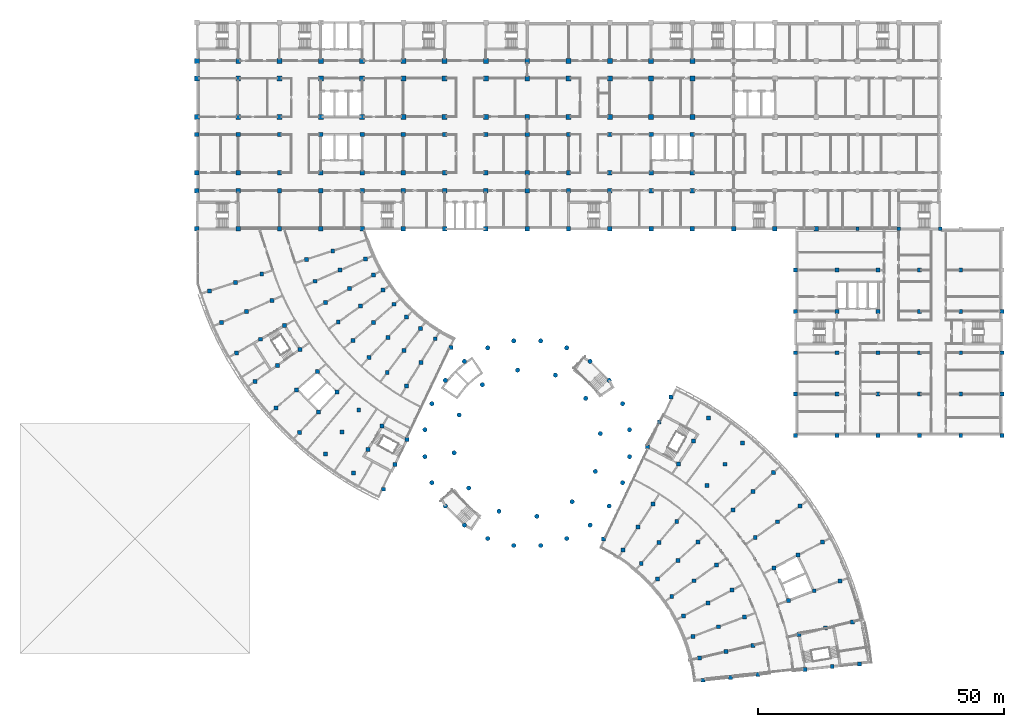
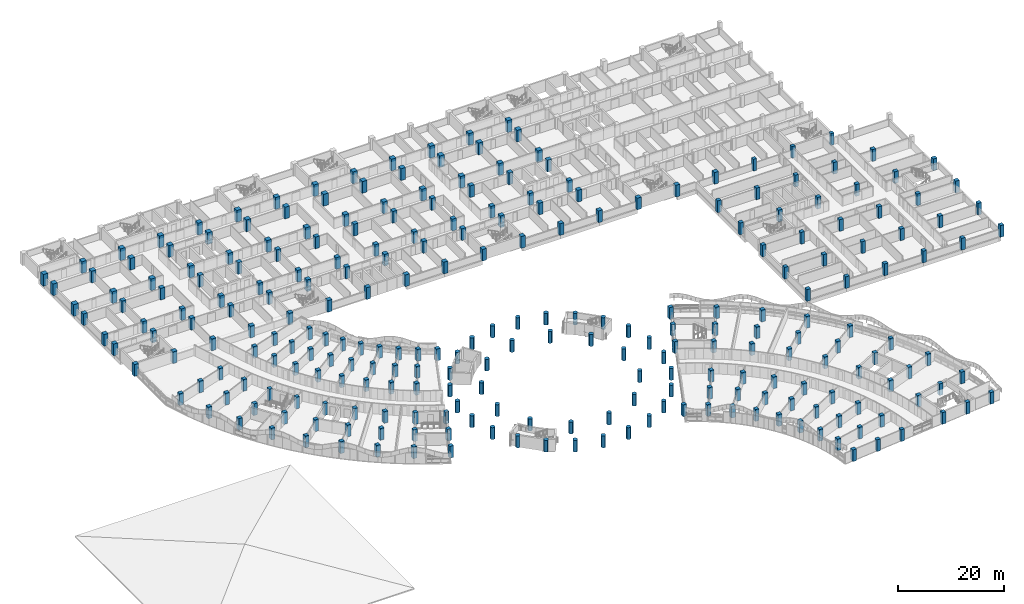
# One storey, part 1 of 89: 265 columns.
"""IFC4 building model written with IfcOpenShell, lengths in metres."""

from ifc_helpers import new_model, si_unit, direction, frame, origin, origin_2d, place, context, subcontext, project, spatial, rectangle, circle, extrude, material, material_profile, profile_set, type_object, element, save


model = new_model("IFC4")

# Units and contexts
model_context = context("Model", 3, precision=1e-05, world=origin(), true_north=direction((0.0, 1.0)))
body_context = subcontext(model_context, "Body", "Model", "MODEL_VIEW")
ifc_project = project(units=[si_unit("LENGTHUNIT", "METRE"), si_unit("AREAUNIT", "SQUARE_METRE"), si_unit("VOLUMEUNIT", "CUBIC_METRE"), si_unit("PLANEANGLEUNIT", "RADIAN"), si_unit("MASSUNIT", "GRAM", prefix="KILO")], contexts=[model_context])

# Site, building, storey
site_placement = place(None, origin())
site = spatial("IfcSite", under=ifc_project, at=site_placement, CompositionType="ELEMENT")
building_placement = place(site_placement, origin())
building = spatial("IfcBuilding", under=site, at=building_placement, Name="Bougainvillea Quay General Hospital", CompositionType="ELEMENT")
storey_placement = place(building_placement, frame((0.0, 0.0, 9.89990234375)))
storey = spatial("IfcBuildingStorey", under=building, at=storey_placement, Name="L01M", CompositionType="ELEMENT", Elevation=9.89990234375)

# Columns
ifc_material = material(Name="Concrete C50", Category="concrete")
ifc_material_profile_1 = material_profile(ifc_material, rectangle(XDim=1.0, YDim=1.0, at=origin_2d()))
ifc_profile_set_1 = profile_set([ifc_material_profile_1], Name="Concrete C50")
column_type_1 = type_object("IfcColumnType", Name="RC COL 1000x1000 C50", PredefinedType="COLUMN", material=ifc_profile_set_1)
for number, where, z_axis, x_axis, name in (
    (1, (42.0, 140.39990234375, 0.0), (0.0, 0.0, 1.0), (1.0, 0.0, 0.0), "Column C-V4-004 L01M"),
    (2, (42.0, 148.199951171875, 0.0), (0.0, 0.0, 1.0), (1.0, 0.0, 0.0), "Column C-V4-005 L01M"),
    (3, (42.0, 151.800048828125, 0.0), (0.0, 0.0, 1.0), (1.0, 0.0, 0.0), "Column C-V4-006 L01M"),
    (4, (50.39990234375, 140.39990234375, 0.0), (0.0, 0.0, 1.0), (1.0, 0.0, 0.0), "Column C-V4-014 L01M"),
    (5, (50.39990234375, 148.199951171875, 0.0), (0.0, 0.0, 1.0), (1.0, 0.0, 0.0), "Column C-V4-015 L01M"),
    (6, (50.39990234375, 151.800048828125, 0.0), (0.0, 0.0, 1.0), (1.0, 0.0, 0.0), "Column C-V4-016 L01M"),
    (7, (58.800048828125, 140.39990234375, 0.0), (0.0, 0.0, 1.0), (1.0, 0.0, 0.0), "Column C-V4-024 L01M"),
    (8, (58.800048828125, 148.199951171875, 0.0), (0.0, 0.0, 1.0), (1.0, 0.0, 0.0), "Column C-V4-025 L01M"),
    (9, (58.800048828125, 151.800048828125, 0.0), (0.0, 0.0, 1.0), (1.0, 0.0, 0.0), "Column C-V4-026 L01M"),
    (10, (67.199951171875, 140.39990234375, 0.0), (0.0, 0.0, 1.0), (1.0, 0.0, 0.0), "Column C-V4-034 L01M"),
    (11, (67.199951171875, 148.199951171875, 0.0), (0.0, 0.0, 1.0), (1.0, 0.0, 0.0), "Column C-V4-035 L01M"),
    (12, (67.199951171875, 151.800048828125, 0.0), (0.0, 0.0, 1.0), (1.0, 0.0, 0.0), "Column C-V4-036 L01M"),
    (13, (75.60009765625, 140.39990234375, 0.0), (0.0, 0.0, 1.0), (1.0, 0.0, 0.0), "Column C-V4-044 L01M"),
    (14, (75.60009765625, 148.199951171875, 0.0), (0.0, 0.0, 1.0), (1.0, 0.0, 0.0), "Column C-V4-045 L01M"),
    (15, (75.60009765625, 151.800048828125, 0.0), (0.0, 0.0, 1.0), (1.0, 0.0, 0.0), "Column C-V4-046 L01M"),
    (16, (84.0, 140.39990234375, 0.0), (0.0, 0.0, 1.0), (1.0, 0.0, 0.0), "Column C-V4-054 L01M"),
    (17, (84.0, 148.199951171875, 0.0), (0.0, 0.0, 1.0), (1.0, 0.0, 0.0), "Column C-V4-055 L01M"),
    (18, (84.0, 151.800048828125, 0.0), (0.0, 0.0, 1.0), (1.0, 0.0, 0.0), "Column C-V4-056 L01M"),
    (19, (92.39990234375, 140.39990234375, 0.0), (0.0, 0.0, 1.0), (1.0, 0.0, 0.0), "Column C-V4-064 L01M"),
    (20, (92.39990234375, 148.199951171875, 0.0), (0.0, 0.0, 1.0), (1.0, 0.0, 0.0), "Column C-V4-065 L01M"),
    (21, (92.39990234375, 151.800048828125, 0.0), (0.0, 0.0, 1.0), (1.0, 0.0, 0.0), "Column C-V4-066 L01M"),
    (22, (100.800048828125, 140.39990234375, 0.0), (0.0, 0.0, 1.0), (1.0, 0.0, 0.0), "Column C-V4-074 L01M"),
    (23, (100.800048828125, 148.199951171875, 0.0), (0.0, 0.0, 1.0), (1.0, 0.0, 0.0), "Column C-V4-075 L01M"),
    (24, (100.800048828125, 151.800048828125, 0.0), (0.0, 0.0, 1.0), (1.0, 0.0, 0.0), "Column C-V4-076 L01M"),
    (25, (109.199951171875, 140.39990234375, 0.0), (0.0, 0.0, 1.0), (1.0, 0.0, 0.0), "Column C-V4-084 L01M"),
    (26, (109.199951171875, 148.199951171875, 0.0), (0.0, 0.0, 1.0), (1.0, 0.0, 0.0), "Column C-V4-085 L01M"),
    (27, (109.199951171875, 151.800048828125, 0.0), (0.0, 0.0, 1.0), (1.0, 0.0, 0.0), "Column C-V4-086 L01M"),
    (28, (117.60009765625, 140.39990234375, 0.0), (0.0, 0.0, 1.0), (1.0, 0.0, 0.0), "Column C-V4-094 L01M"),
    (29, (117.60009765625, 148.199951171875, 0.0), (0.0, 0.0, 1.0), (1.0, 0.0, 0.0), "Column C-V4-095 L01M"),
    (30, (117.60009765625, 151.800048828125, 0.0), (0.0, 0.0, 1.0), (1.0, 0.0, 0.0), "Column C-V4-096 L01M"),
    (31, (126.0, 140.39990234375, 0.0), (0.0, 0.0, 1.0), (1.0, 0.0, 0.0), "Column C-V4-104 L01M"),
    (32, (126.0, 148.199951171875, 0.0), (0.0, 0.0, 1.0), (1.0, 0.0, 0.0), "Column C-V4-105 L01M"),
    (33, (126.0, 151.800048828125, 0.0), (0.0, 0.0, 1.0), (1.0, 0.0, 0.0), "Column C-V4-106 L01M"),
    (34, (134.39990234375, 140.39990234375, 0.0), (0.0, 0.0, 1.0), (1.0, 0.0, 0.0), "Column C-V4-114 L01M"),
    (35, (134.39990234375, 148.199951171875, 0.0), (0.0, 0.0, 1.0), (1.0, 0.0, 0.0), "Column C-V4-115 L01M"),
    (36, (134.39990234375, 151.800048828125, 0.0), (0.0, 0.0, 1.0), (1.0, 0.0, 0.0), "Column C-V4-116 L01M"),
    (37, (142.800048828125, 140.39990234375, 0.0), (0.0, 0.0, 1.0), (1.0, 0.0, 0.0), "Column C-V4-124 L01M"),
    (38, (142.800048828125, 148.199951171875, 0.0), (0.0, 0.0, 1.0), (1.0, 0.0, 0.0), "Column C-V4-125 L01M"),
    (39, (142.800048828125, 151.800048828125, 0.0), (0.0, 0.0, 1.0), (1.0, 0.0, 0.0), "Column C-V4-126 L01M"),
):
    element("IfcColumn", number, at=place(storey_placement, frame(where, z_axis=z_axis, x_axis=x_axis)), inside=storey, type_object=column_type_1, Name=name, PredefinedType="COLUMN", context=body_context, shape_type="SweptSolid", body=[
        extrude(rectangle(XDim=1.0, YDim=1.0, at=origin_2d()), origin(), (0.0, 0.0, 1.0), 2.7001953125),
    ])
ifc_material_profile_2 = material_profile(ifc_material, rectangle(XDim=0.699951171875, YDim=0.699951171875, at=origin_2d()))
ifc_profile_set_2 = profile_set([ifc_material_profile_2], Name="Concrete C50")
column_type_2 = type_object("IfcColumnType", Name="RC COL 700x700 C50", PredefinedType="COLUMN", material=ifc_profile_set_2)
for number, where, z_axis, x_axis, name in (
    (40, (176.39990234375, 117.60009765625, 0.0), (0.0, 0.0, 1.0), (1.0, 0.0, 0.0), "Column C-V4-160 L01M"),
    (41, (184.800048828125, 117.60009765625, 0.0), (0.0, 0.0, 1.0), (1.0, 0.0, 0.0), "Column C-V4-170 L01M"),
    (42, (193.199951171875, 117.60009765625, 0.0), (0.0, 0.0, 1.0), (1.0, 0.0, 0.0), "Column C-V4-180 L01M"),
):
    element("IfcColumn", number, at=place(storey_placement, frame(where, z_axis=z_axis, x_axis=x_axis)), inside=storey, type_object=column_type_2, Name=name, PredefinedType="COLUMN", context=body_context, shape_type="SweptSolid", body=[
        extrude(rectangle(XDim=0.699951171875, YDim=0.699951171875, at=origin_2d()), origin(), (0.0, 0.0, 1.0), 2.7001953125),
    ])
ifc_material_profile_3 = material_profile(ifc_material, rectangle(XDim=0.800048828125, YDim=0.800048828125, at=origin_2d()))
ifc_profile_set_3 = profile_set([ifc_material_profile_3], Name="Concrete C50")
column_type_3 = type_object("IfcColumnType", Name="RC COL 800x800 C50", PredefinedType="COLUMN", material=ifc_profile_set_3)
for number, where, z_axis, x_axis, name in (
    (43, (44.530029296875, 104.98193359375, 0.0), (0.0, 0.0, 1.0), (1.0, 0.0, 0.0), "Column C-V6-W80 L01M"),
    (44, (46.989990234375, 98.5419921875, 0.0), (0.0, 0.0, 1.0), (1.0, 0.0, 0.0), "Column C-V6-W70 L01M"),
    (45, (49.85498046875, 106.712890625, 0.0), (0.0, 0.0, 1.0), (1.0, 0.0, 0.0), "Column C-V6-W81 L01M"),
    (46, (50.091064453125, 92.383056640625, 0.0), (0.0, 0.0, 1.0), (1.0, 0.0, 0.0), "Column C-V6-W60 L01M"),
    (47, (52.114013671875, 100.802978515625, 0.0), (0.0, 0.0, 1.0), (1.0, 0.0, 0.0), "Column C-V6-W71 L01M"),
    (48, (53.799072265625, 86.570068359375, 0.0), (0.0, 0.0, 1.0), (1.0, 0.0, 0.0), "Column C-V6-W50 L01M"),
    (49, (54.958984375, 95.152099609375, 0.0), (0.0, 0.0, 1.0), (1.0, 0.0, 0.0), "Column C-V6-W61 L01M"),
    (50, (55.180908203125, 108.444091796875, 0.0), (0.0, 0.0, 1.0), (1.0, 0.0, 0.0), "Column C-V6-W82 L01M"),
    (51, (57.237060546875, 103.06396484375, 0.0), (0.0, 0.0, 1.0), (1.0, 0.0, 0.0), "Column C-V6-W72 L01M"),
    (52, (58.075927734375, 81.1630859375, 0.0), (0.0, 0.0, 1.0), (1.0, 0.0, 0.0), "Column C-V6-W40 L01M"),
    (53, (58.361083984375, 89.81689453125, 0.0), (0.0, 0.0, 1.0), (1.0, 0.0, 0.0), "Column C-V6-W51 L01M"),
    (54, (59.825927734375, 97.919921875, 0.0), (0.0, 0.0, 1.0), (1.0, 0.0, 0.0), "Column C-V6-W62 L01M"),
    (55, (62.287109375, 84.85498046875, 0.0), (0.0, 0.0, 1.0), (1.0, 0.0, 0.0), "Column C-V6-W41 L01M"),
    (56, (62.8798828125, 76.216064453125, 0.0), (0.0, 0.0, 1.0), (1.0, 0.0, 0.0), "Column C-V6-W30 L01M"),
    (57, (62.924072265625, 93.06494140625, 0.0), (0.0, 0.0, 1.0), (1.0, 0.0, 0.0), "Column C-V6-W52 L01M"),
    (58, (64.31103515625, 111.410888671875, 0.0), (0.0, 0.0, 1.0), (1.0, 0.0, 0.0), "Column C-V6-W83 L01M"),
    (59, (66.01904296875, 106.94091796875, 0.0), (0.0, 0.0, 1.0), (1.0, 0.0, 0.0), "Column C-V6-W73 L01M"),
    (60, (66.4970703125, 88.548095703125, 0.0), (0.0, 0.0, 1.0), (1.0, 0.0, 0.0), "Column C-V6-W42 L01M"),
    (61, (66.694091796875, 80.31591796875, 0.0), (0.0, 0.0, 1.0), (1.0, 0.0, 0.0), "Column C-V6-W31 L01M"),
    (62, (68.158935546875, 71.781005859375, 0.0), (0.0, 0.0, 1.0), (1.0, 0.0, 0.0), "Column C-V6-W20 L01M"),
    (63, (68.1708984375, 102.666015625, 0.0), (0.0, 0.0, 1.0), (1.0, 0.0, 0.0), "Column C-V6-W63 L01M"),
    (64, (69.636962890625, 113.14208984375, 0.0), (0.0, 0.0, 1.0), (1.0, 0.0, 0.0), "Column C-V6-W84 L01M"),
    (65, (70.509033203125, 84.416015625, 0.0), (0.0, 0.0, 1.0), (1.0, 0.0, 0.0), "Column C-V6-W32 L01M"),
    (66, (70.7451171875, 98.631103515625, 0.0), (0.0, 0.0, 1.0), (1.0, 0.0, 0.0), "Column C-V6-W53 L01M"),
    (67, (71.14208984375, 109.201904296875, 0.0), (0.0, 0.0, 1.0), (1.0, 0.0, 0.0), "Column C-V6-W74 L01M"),
    (68, (71.5390625, 76.2470703125, 0.0), (0.0, 0.0, 1.0), (1.0, 0.0, 0.0), "Column C-V6-W21 L01M"),
    (69, (73.0390625, 105.43408203125, 0.0), (0.0, 0.0, 1.0), (1.0, 0.0, 0.0), "Column C-V6-W64 L01M"),
    (70, (73.714111328125, 94.8779296875, 0.0), (0.0, 0.0, 1.0), (1.0, 0.0, 0.0), "Column C-V6-W43 L01M"),
    (71, (73.861083984375, 67.904052734375, 0.0), (0.0, 0.0, 1.0), (1.0, 0.0, 0.0), "Column C-V6-W10 L01M"),
    (72, (74.9189453125, 80.7119140625, 0.0), (0.0, 0.0, 1.0), (1.0, 0.0, 0.0), "Column C-V6-W22 L01M"),
    (73, (75.30810546875, 101.8779296875, 0.0), (0.0, 0.0, 1.0), (1.0, 0.0, 0.0), "Column C-V6-W54 L01M"),
    (74, (76.26611328125, 111.462890625, 0.0), (0.0, 0.0, 1.0), (1.0, 0.0, 0.0), "Column C-V6-W75 L01M"),
    (75, (76.77099609375, 72.68896484375, 0.0), (0.0, 0.0, 1.0), (1.0, 0.0, 0.0), "Column C-V6-W11 L01M"),
    (76, (77.048095703125, 91.444091796875, 0.0), (0.0, 0.0, 1.0), (1.0, 0.0, 0.0), "Column C-V6-W33 L01M"),
    (77, (77.906982421875, 108.202880859375, 0.0), (0.0, 0.0, 1.0), (1.0, 0.0, 0.0), "Column C-V6-W65 L01M"),
    (78, (77.924072265625, 98.570068359375, 0.0), (0.0, 0.0, 1.0), (1.0, 0.0, 0.0), "Column C-V6-W44 L01M"),
    (79, (79.680908203125, 77.472900390625, 0.0), (0.0, 0.0, 1.0), (1.0, 0.0, 0.0), "Column C-V6-W12 L01M"),
    (80, (79.8701171875, 105.125, 0.0), (0.0, 0.0, 1.0), (1.0, 0.0, 0.0), "Column C-V6-W55 L01M"),
    (81, (79.925048828125, 64.6240234375, 0.0), (0.0, 0.0, 1.0), (1.0, 0.0, 0.0), "Column C-V6-W00 L01M"),
    (82, (80.712890625, 88.365966796875, 0.0), (0.0, 0.0, 1.0), (1.0, 0.0, 0.0), "Column C-V6-W23 L01M"),
    (83, (80.863037109375, 95.5439453125, 0.0), (0.0, 0.0, 1.0), (1.0, 0.0, 0.0), "Column C-V6-W34 L01M"),
    (84, (82.135009765625, 102.262939453125, 0.0), (0.0, 0.0, 1.0), (1.0, 0.0, 0.0), "Column C-V6-W45 L01M"),
    (85, (82.3359375, 69.678955078125, 0.0), (0.0, 0.0, 1.0), (1.0, 0.0, 0.0), "Column C-V6-W01 L01M"),
    (86, (84.093017578125, 92.8310546875, 0.0), (0.0, 0.0, 1.0), (1.0, 0.0, 0.0), "Column C-V6-W24 L01M"),
    (87, (84.669921875, 85.675048828125, 0.0), (0.0, 0.0, 1.0), (1.0, 0.0, 0.0), "Column C-V6-W13 L01M"),
    (88, (84.677001953125, 99.64404296875, 0.0), (0.0, 0.0, 1.0), (1.0, 0.0, 0.0), "Column C-V6-W35 L01M"),
    (89, (84.7470703125, 74.73291015625, 0.0), (0.0, 0.0, 1.0), (1.0, 0.0, 0.0), "Column C-V6-W02 L01M"),
    (90, (87.471923828125, 97.2958984375, 0.0), (0.0, 0.0, 1.0), (1.0, 0.0, 0.0), "Column C-V6-W25 L01M"),
    (91, (87.5810546875, 90.458984375, 0.0), (0.0, 0.0, 1.0), (1.0, 0.0, 0.0), "Column C-V6-W14 L01M"),
    (92, (90.490966796875, 95.242919921875, 0.0), (0.0, 0.0, 1.0), (1.0, 0.0, 0.0), "Column C-V6-W15 L01M"),
    (93, (93.701904296875, 93.507080078125, 0.0), (0.0, 0.0, 1.0), (1.0, 0.0, 0.0), "Column C-V6-W05 L01M"),
    (94, (124.697998046875, 54.492919921875, 0.0), (0.0, 0.0, 1.0), (1.0, 0.0, 0.0), "Column C-V6-E05 L01M"),
    (95, (128.7080078125, 52.256103515625, 0.0), (0.0, 0.0, 1.0), (1.0, 0.0, 0.0), "Column C-V6-E15 L01M"),
    (96, (131.741943359375, 56.962890625, 0.0), (0.0, 0.0, 1.0), (1.0, 0.0, 0.0), "Column C-V6-E14 L01M"),
    (97, (132.39990234375, 49.527099609375, 0.0), (0.0, 0.0, 1.0), (1.0, 0.0, 0.0), "Column C-V6-E25 L01M"),
    (98, (133.653076171875, 73.26708984375, 0.0), (0.0, 0.0, 1.0), (1.0, 0.0, 0.0), "Column C-V6-E02 L01M"),
    (99, (134.777099609375, 61.6689453125, 0.0), (0.0, 0.0, 1.0), (1.0, 0.0, 0.0), "Column C-V6-E13 L01M"),
    (100, (135.715087890625, 46.35107421875, 0.0), (0.0, 0.0, 1.0), (1.0, 0.0, 0.0), "Column C-V6-E35 L01M"),
    (101, (136.009033203125, 53.81005859375, 0.0), (0.0, 0.0, 1.0), (1.0, 0.0, 0.0), "Column C-V6-E24 L01M"),
    (102, (136.06396484375, 78.321044921875, 0.0), (0.0, 0.0, 1.0), (1.0, 0.0, 0.0), "Column C-V6-E01 L01M"),
    (103, (138.47509765625, 83.3759765625, 0.0), (0.0, 0.0, 1.0), (1.0, 0.0, 0.0), "Column C-V6-E00 L01M"),
    (104, (138.597900390625, 42.778076171875, 0.0), (0.0, 0.0, 1.0), (1.0, 0.0, 0.0), "Column C-V6-E45 L01M"),
    (105, (139.617919921875, 58.092041015625, 0.0), (0.0, 0.0, 1.0), (1.0, 0.0, 0.0), "Column C-V6-E23 L01M"),
    (106, (139.839111328125, 50.138916015625, 0.0), (0.0, 0.0, 1.0), (1.0, 0.0, 0.0), "Column C-V6-E34 L01M"),
    (107, (139.97900390625, 69.738037109375, 0.0), (0.0, 0.0, 1.0), (1.0, 0.0, 0.0), "Column C-V6-E12 L01M"),
    (108, (141.00390625, 38.867919921875, 0.0), (0.0, 0.0, 1.0), (1.0, 0.0, 0.0), "Column C-V6-E55 L01M"),
    (109, (142.89208984375, 34.68310546875, 0.0), (0.0, 0.0, 1.0), (1.0, 0.0, 0.0), "Column C-V6-E65 L01M"),
    (110, (143.013916015625, 74.444091796875, 0.0), (0.0, 0.0, 1.0), (1.0, 0.0, 0.0), "Column C-V6-E11 L01M"),
    (111, (143.1708984375, 46.010009765625, 0.0), (0.0, 0.0, 1.0), (1.0, 0.0, 0.0), "Column C-V6-E44 L01M"),
    (112, (143.964111328125, 53.927001953125, 0.0), (0.0, 0.0, 1.0), (1.0, 0.0, 0.0), "Column C-V6-E33 L01M"),
    (113, (144.23193359375, 30.2919921875, 0.0), (0.0, 0.0, 1.0), (1.0, 0.0, 0.0), "Column C-V6-E75 L01M"),
    (114, (145.0029296875, 25.76611328125, 0.0), (0.0, 0.0, 1.0), (1.0, 0.0, 0.0), "Column C-V6-E85 L01M"),
    (115, (145.803955078125, 65.431884765625, 0.0), (0.0, 0.0, 1.0), (1.0, 0.0, 0.0), "Column C-V6-E22 L01M"),
    (116, (145.950927734375, 41.491943359375, 0.0), (0.0, 0.0, 1.0), (1.0, 0.0, 0.0), "Column C-V6-E54 L01M"),
    (117, (146.048095703125, 79.15087890625, 0.0), (0.0, 0.0, 1.0), (1.0, 0.0, 0.0), "Column C-V6-E10 L01M"),
    (118, (147.7451171875, 49.242919921875, 0.0), (0.0, 0.0, 1.0), (1.0, 0.0, 0.0), "Column C-V6-E43 L01M"),
    (119, (148.133056640625, 36.656005859375, 0.0), (0.0, 0.0, 1.0), (1.0, 0.0, 0.0), "Column C-V6-E64 L01M"),
    (120, (149.4130859375, 69.714111328125, 0.0), (0.0, 0.0, 1.0), (1.0, 0.0, 0.0), "Column C-V6-E21 L01M"),
    (121, (149.681884765625, 31.5810546875, 0.0), (0.0, 0.0, 1.0), (1.0, 0.0, 0.0), "Column C-V6-E74 L01M"),
    (122, (150.572021484375, 26.35107421875, 0.0), (0.0, 0.0, 1.0), (1.0, 0.0, 0.0), "Column C-V6-E84 L01M"),
    (123, (150.89794921875, 44.114990234375, 0.0), (0.0, 0.0, 1.0), (1.0, 0.0, 0.0), "Column C-V6-E53 L01M"),
    (124, (151.033935546875, 60.419921875, 0.0), (0.0, 0.0, 1.0), (1.0, 0.0, 0.0), "Column C-V6-E32 L01M"),
    (125, (153.02197265625, 73.99609375, 0.0), (0.0, 0.0, 1.0), (1.0, 0.0, 0.0), "Column C-V6-E20 L01M"),
    (126, (153.3740234375, 38.62890625, 0.0), (0.0, 0.0, 1.0), (1.0, 0.0, 0.0), "Column C-V6-E63 L01M"),
    (127, (155.131103515625, 32.87109375, 0.0), (0.0, 0.0, 1.0), (1.0, 0.0, 0.0), "Column C-V6-E73 L01M"),
    (128, (155.158935546875, 64.2080078125, 0.0), (0.0, 0.0, 1.0), (1.0, 0.0, 0.0), "Column C-V6-E31 L01M"),
    (129, (155.583984375, 54.782958984375, 0.0), (0.0, 0.0, 1.0), (1.0, 0.0, 0.0), "Column C-V6-E42 L01M"),
    (130, (156.14111328125, 26.93701171875, 0.0), (0.0, 0.0, 1.0), (1.0, 0.0, 0.0), "Column C-V6-E83 L01M"),
    (131, (159.283935546875, 67.99609375, 0.0), (0.0, 0.0, 1.0), (1.0, 0.0, 0.0), "Column C-V6-E30 L01M"),
    (132, (159.37890625, 48.613037109375, 0.0), (0.0, 0.0, 1.0), (1.0, 0.0, 0.0), "Column C-V6-E52 L01M"),
    (133, (160.156982421875, 58.01611328125, 0.0), (0.0, 0.0, 1.0), (1.0, 0.0, 0.0), "Column C-V6-E41 L01M"),
    (134, (162.35791015625, 42.010986328125, 0.0), (0.0, 0.0, 1.0), (1.0, 0.0, 0.0), "Column C-V6-E62 L01M"),
    (135, (163.800048828125, 75.60009765625, 0.0), (0.0, 0.0, 1.0), (1.0, 0.0, 0.0), "Column C-V3-00 L01M"),
    (136, (163.800048828125, 84.0, 0.0), (0.0, 0.0, 1.0), (1.0, 0.0, 0.0), "Column C-V3-01 L01M"),
    (137, (163.800048828125, 92.39990234375, 0.0), (0.0, 0.0, 1.0), (1.0, 0.0, 0.0), "Column C-V3-02 L01M"),
    (138, (163.800048828125, 100.800048828125, 0.0), (0.0, 0.0, 1.0), (1.0, 0.0, 0.0), "Column C-V3-03 L01M"),
    (139, (163.800048828125, 109.199951171875, 0.0), (0.0, 0.0, 1.0), (1.0, 0.0, 0.0), "Column C-V3-04 L01M"),
    (140, (164.326904296875, 51.237060546875, 0.0), (0.0, 0.0, 1.0), (1.0, 0.0, 0.0), "Column C-V6-E51 L01M"),
    (141, (164.472900390625, 35.08203125, 0.0), (0.0, 0.0, 1.0), (1.0, 0.0, 0.0), "Column C-V6-E72 L01M"),
    (142, (164.72998046875, 61.248046875, 0.0), (0.0, 0.0, 1.0), (1.0, 0.0, 0.0), "Column C-V6-E40 L01M"),
    (143, (165.68798828125, 27.94091796875, 0.0), (0.0, 0.0, 1.0), (1.0, 0.0, 0.0), "Column C-V6-E82 L01M"),
    (144, (167.59912109375, 43.98291015625, 0.0), (0.0, 0.0, 1.0), (1.0, 0.0, 0.0), "Column C-V6-E61 L01M"),
    (145, (169.27392578125, 53.861083984375, 0.0), (0.0, 0.0, 1.0), (1.0, 0.0, 0.0), "Column C-V6-E50 L01M"),
    (146, (169.922119140625, 36.3720703125, 0.0), (0.0, 0.0, 1.0), (1.0, 0.0, 0.0), "Column C-V6-E71 L01M"),
    (147, (171.258056640625, 28.527099609375, 0.0), (0.0, 0.0, 1.0), (1.0, 0.0, 0.0), "Column C-V6-E81 L01M"),
    (148, (172.199951171875, 75.60009765625, 0.0), (0.0, 0.0, 1.0), (1.0, 0.0, 0.0), "Column C-V3-10 L01M"),
    (149, (172.199951171875, 84.0, 0.0), (0.0, 0.0, 1.0), (1.0, 0.0, 0.0), "Column C-V3-11 L01M"),
    (150, (172.199951171875, 92.39990234375, 0.0), (0.0, 0.0, 1.0), (1.0, 0.0, 0.0), "Column C-V3-12 L01M"),
    (151, (172.199951171875, 100.800048828125, 0.0), (0.0, 0.0, 1.0), (1.0, 0.0, 0.0), "Column C-V3-13 L01M"),
    (152, (172.199951171875, 109.199951171875, 0.0), (0.0, 0.0, 1.0), (1.0, 0.0, 0.0), "Column C-V3-14 L01M"),
    (153, (172.840087890625, 45.9560546875, 0.0), (0.0, 0.0, 1.0), (1.0, 0.0, 0.0), "Column C-V6-E60 L01M"),
    (154, (175.3720703125, 37.662109375, 0.0), (0.0, 0.0, 1.0), (1.0, 0.0, 0.0), "Column C-V6-E70 L01M"),
    (155, (176.826904296875, 29.113037109375, 0.0), (0.0, 0.0, 1.0), (1.0, 0.0, 0.0), "Column C-V6-E80 L01M"),
    (156, (180.60009765625, 75.60009765625, 0.0), (0.0, 0.0, 1.0), (1.0, 0.0, 0.0), "Column C-V3-20 L01M"),
    (157, (180.60009765625, 84.0, 0.0), (0.0, 0.0, 1.0), (1.0, 0.0, 0.0), "Column C-V3-21 L01M"),
    (158, (180.60009765625, 92.39990234375, 0.0), (0.0, 0.0, 1.0), (1.0, 0.0, 0.0), "Column C-V3-22 L01M"),
    (159, (180.60009765625, 100.800048828125, 0.0), (0.0, 0.0, 1.0), (1.0, 0.0, 0.0), "Column C-V3-23 L01M"),
    (160, (180.60009765625, 109.199951171875, 0.0), (0.0, 0.0, 1.0), (1.0, 0.0, 0.0), "Column C-V3-24 L01M"),
    (161, (189.0, 75.60009765625, 0.0), (0.0, 0.0, 1.0), (1.0, 0.0, 0.0), "Column C-V3-30 L01M"),
    (162, (189.0, 84.0, 0.0), (0.0, 0.0, 1.0), (1.0, 0.0, 0.0), "Column C-V3-31 L01M"),
    (163, (189.0, 92.39990234375, 0.0), (0.0, 0.0, 1.0), (1.0, 0.0, 0.0), "Column C-V3-32 L01M"),
    (164, (189.0, 100.800048828125, 0.0), (0.0, 0.0, 1.0), (1.0, 0.0, 0.0), "Column C-V3-33 L01M"),
    (165, (189.0, 109.199951171875, 0.0), (0.0, 0.0, 1.0), (1.0, 0.0, 0.0), "Column C-V3-34 L01M"),
    (166, (197.39990234375, 75.60009765625, 0.0), (0.0, 0.0, 1.0), (1.0, 0.0, 0.0), "Column C-V3-40 L01M"),
    (167, (197.39990234375, 84.0, 0.0), (0.0, 0.0, 1.0), (1.0, 0.0, 0.0), "Column C-V3-41 L01M"),
    (168, (197.39990234375, 92.39990234375, 0.0), (0.0, 0.0, 1.0), (1.0, 0.0, 0.0), "Column C-V3-42 L01M"),
    (169, (197.39990234375, 100.800048828125, 0.0), (0.0, 0.0, 1.0), (1.0, 0.0, 0.0), "Column C-V3-43 L01M"),
    (170, (197.39990234375, 109.199951171875, 0.0), (0.0, 0.0, 1.0), (1.0, 0.0, 0.0), "Column C-V3-44 L01M"),
    (171, (205.800048828125, 75.60009765625, 0.0), (0.0, 0.0, 1.0), (1.0, 0.0, 0.0), "Column C-V3-50 L01M"),
    (172, (205.800048828125, 84.0, 0.0), (0.0, 0.0, 1.0), (1.0, 0.0, 0.0), "Column C-V3-51 L01M"),
    (173, (205.800048828125, 92.39990234375, 0.0), (0.0, 0.0, 1.0), (1.0, 0.0, 0.0), "Column C-V3-52 L01M"),
    (174, (205.800048828125, 100.800048828125, 0.0), (0.0, 0.0, 1.0), (1.0, 0.0, 0.0), "Column C-V3-53 L01M"),
):
    element("IfcColumn", number, at=place(storey_placement, frame(where, z_axis=z_axis, x_axis=x_axis)), inside=storey, type_object=column_type_3, Name=name, PredefinedType="COLUMN", context=body_context, shape_type="SweptSolid", body=[
        extrude(rectangle(XDim=0.800048828125, YDim=0.800048828125, at=origin_2d()), origin(), (0.0, 0.0, 1.0), 2.7001953125),
    ])
ifc_material_profile_4 = material_profile(ifc_material, rectangle(XDim=0.89990234375, YDim=0.89990234375, at=origin_2d()))
ifc_profile_set_4 = profile_set([ifc_material_profile_4], Name="Concrete C50")
column_type_4 = type_object("IfcColumnType", Name="RC COL 900x900 C50", PredefinedType="COLUMN", material=ifc_profile_set_4)
for number, where, z_axis, x_axis, name in (
    (175, (42.0, 117.60009765625, 0.0), (0.0, 0.0, 1.0), (1.0, 0.0, 0.0), "Column C-V4-000 L01M"),
    (176, (42.0, 125.39990234375, 0.0), (0.0, 0.0, 1.0), (1.0, 0.0, 0.0), "Column C-V4-001 L01M"),
    (177, (42.0, 129.0, 0.0), (0.0, 0.0, 1.0), (1.0, 0.0, 0.0), "Column C-V4-002 L01M"),
    (178, (42.0, 136.800048828125, 0.0), (0.0, 0.0, 1.0), (1.0, 0.0, 0.0), "Column C-V4-003 L01M"),
    (179, (50.39990234375, 117.60009765625, 0.0), (0.0, 0.0, 1.0), (1.0, 0.0, 0.0), "Column C-V4-010 L01M"),
    (180, (50.39990234375, 125.39990234375, 0.0), (0.0, 0.0, 1.0), (1.0, 0.0, 0.0), "Column C-V4-011 L01M"),
    (181, (50.39990234375, 129.0, 0.0), (0.0, 0.0, 1.0), (1.0, 0.0, 0.0), "Column C-V4-012 L01M"),
    (182, (50.39990234375, 136.800048828125, 0.0), (0.0, 0.0, 1.0), (1.0, 0.0, 0.0), "Column C-V4-013 L01M"),
    (183, (58.800048828125, 117.60009765625, 0.0), (0.0, 0.0, 1.0), (1.0, 0.0, 0.0), "Column C-V4-020 L01M"),
    (184, (58.800048828125, 125.39990234375, 0.0), (0.0, 0.0, 1.0), (1.0, 0.0, 0.0), "Column C-V4-021 L01M"),
    (185, (58.800048828125, 129.0, 0.0), (0.0, 0.0, 1.0), (1.0, 0.0, 0.0), "Column C-V4-022 L01M"),
    (186, (58.800048828125, 136.800048828125, 0.0), (0.0, 0.0, 1.0), (1.0, 0.0, 0.0), "Column C-V4-023 L01M"),
    (187, (67.199951171875, 117.60009765625, 0.0), (0.0, 0.0, 1.0), (1.0, 0.0, 0.0), "Column C-V4-030 L01M"),
    (188, (67.199951171875, 125.39990234375, 0.0), (0.0, 0.0, 1.0), (1.0, 0.0, 0.0), "Column C-V4-031 L01M"),
    (189, (67.199951171875, 129.0, 0.0), (0.0, 0.0, 1.0), (1.0, 0.0, 0.0), "Column C-V4-032 L01M"),
    (190, (67.199951171875, 136.800048828125, 0.0), (0.0, 0.0, 1.0), (1.0, 0.0, 0.0), "Column C-V4-033 L01M"),
    (191, (75.60009765625, 117.60009765625, 0.0), (0.0, 0.0, 1.0), (1.0, 0.0, 0.0), "Column C-V4-040 L01M"),
    (192, (75.60009765625, 125.39990234375, 0.0), (0.0, 0.0, 1.0), (1.0, 0.0, 0.0), "Column C-V4-041 L01M"),
    (193, (75.60009765625, 129.0, 0.0), (0.0, 0.0, 1.0), (1.0, 0.0, 0.0), "Column C-V4-042 L01M"),
    (194, (75.60009765625, 136.800048828125, 0.0), (0.0, 0.0, 1.0), (1.0, 0.0, 0.0), "Column C-V4-043 L01M"),
    (195, (84.0, 117.60009765625, 0.0), (0.0, 0.0, 1.0), (1.0, 0.0, 0.0), "Column C-V4-050 L01M"),
    (196, (84.0, 125.39990234375, 0.0), (0.0, 0.0, 1.0), (1.0, 0.0, 0.0), "Column C-V4-051 L01M"),
    (197, (84.0, 129.0, 0.0), (0.0, 0.0, 1.0), (1.0, 0.0, 0.0), "Column C-V4-052 L01M"),
    (198, (84.0, 136.800048828125, 0.0), (0.0, 0.0, 1.0), (1.0, 0.0, 0.0), "Column C-V4-053 L01M"),
    (199, (92.39990234375, 117.60009765625, 0.0), (0.0, 0.0, 1.0), (1.0, 0.0, 0.0), "Column C-V4-060 L01M"),
    (200, (92.39990234375, 125.39990234375, 0.0), (0.0, 0.0, 1.0), (1.0, 0.0, 0.0), "Column C-V4-061 L01M"),
    (201, (92.39990234375, 129.0, 0.0), (0.0, 0.0, 1.0), (1.0, 0.0, 0.0), "Column C-V4-062 L01M"),
    (202, (92.39990234375, 136.800048828125, 0.0), (0.0, 0.0, 1.0), (1.0, 0.0, 0.0), "Column C-V4-063 L01M"),
    (203, (100.800048828125, 117.60009765625, 0.0), (0.0, 0.0, 1.0), (1.0, 0.0, 0.0), "Column C-V4-070 L01M"),
    (204, (100.800048828125, 125.39990234375, 0.0), (0.0, 0.0, 1.0), (1.0, 0.0, 0.0), "Column C-V4-071 L01M"),
    (205, (100.800048828125, 129.0, 0.0), (0.0, 0.0, 1.0), (1.0, 0.0, 0.0), "Column C-V4-072 L01M"),
    (206, (100.800048828125, 136.800048828125, 0.0), (0.0, 0.0, 1.0), (1.0, 0.0, 0.0), "Column C-V4-073 L01M"),
    (207, (109.199951171875, 117.60009765625, 0.0), (0.0, 0.0, 1.0), (1.0, 0.0, 0.0), "Column C-V4-080 L01M"),
    (208, (109.199951171875, 125.39990234375, 0.0), (0.0, 0.0, 1.0), (1.0, 0.0, 0.0), "Column C-V4-081 L01M"),
    (209, (109.199951171875, 129.0, 0.0), (0.0, 0.0, 1.0), (1.0, 0.0, 0.0), "Column C-V4-082 L01M"),
    (210, (109.199951171875, 136.800048828125, 0.0), (0.0, 0.0, 1.0), (1.0, 0.0, 0.0), "Column C-V4-083 L01M"),
    (211, (117.60009765625, 117.60009765625, 0.0), (0.0, 0.0, 1.0), (1.0, 0.0, 0.0), "Column C-V4-090 L01M"),
    (212, (117.60009765625, 125.39990234375, 0.0), (0.0, 0.0, 1.0), (1.0, 0.0, 0.0), "Column C-V4-091 L01M"),
    (213, (117.60009765625, 129.0, 0.0), (0.0, 0.0, 1.0), (1.0, 0.0, 0.0), "Column C-V4-092 L01M"),
    (214, (117.60009765625, 136.800048828125, 0.0), (0.0, 0.0, 1.0), (1.0, 0.0, 0.0), "Column C-V4-093 L01M"),
    (215, (126.0, 117.60009765625, 0.0), (0.0, 0.0, 1.0), (1.0, 0.0, 0.0), "Column C-V4-100 L01M"),
    (216, (126.0, 125.39990234375, 0.0), (0.0, 0.0, 1.0), (1.0, 0.0, 0.0), "Column C-V4-101 L01M"),
    (217, (126.0, 129.0, 0.0), (0.0, 0.0, 1.0), (1.0, 0.0, 0.0), "Column C-V4-102 L01M"),
    (218, (126.0, 136.800048828125, 0.0), (0.0, 0.0, 1.0), (1.0, 0.0, 0.0), "Column C-V4-103 L01M"),
    (219, (134.39990234375, 117.60009765625, 0.0), (0.0, 0.0, 1.0), (1.0, 0.0, 0.0), "Column C-V4-110 L01M"),
    (220, (134.39990234375, 125.39990234375, 0.0), (0.0, 0.0, 1.0), (1.0, 0.0, 0.0), "Column C-V4-111 L01M"),
    (221, (134.39990234375, 129.0, 0.0), (0.0, 0.0, 1.0), (1.0, 0.0, 0.0), "Column C-V4-112 L01M"),
    (222, (134.39990234375, 136.800048828125, 0.0), (0.0, 0.0, 1.0), (1.0, 0.0, 0.0), "Column C-V4-113 L01M"),
    (223, (142.800048828125, 117.60009765625, 0.0), (0.0, 0.0, 1.0), (1.0, 0.0, 0.0), "Column C-V4-120 L01M"),
    (224, (142.800048828125, 125.39990234375, 0.0), (0.0, 0.0, 1.0), (1.0, 0.0, 0.0), "Column C-V4-121 L01M"),
    (225, (142.800048828125, 129.0, 0.0), (0.0, 0.0, 1.0), (1.0, 0.0, 0.0), "Column C-V4-122 L01M"),
    (226, (142.800048828125, 136.800048828125, 0.0), (0.0, 0.0, 1.0), (1.0, 0.0, 0.0), "Column C-V4-123 L01M"),
    (227, (151.199951171875, 117.60009765625, 0.0), (0.0, 0.0, 1.0), (1.0, 0.0, 0.0), "Column C-V4-130 L01M"),
    (228, (159.60009765625, 117.60009765625, 0.0), (0.0, 0.0, 1.0), (1.0, 0.0, 0.0), "Column C-V4-140 L01M"),
    (229, (168.0, 117.60009765625, 0.0), (0.0, 0.0, 1.0), (1.0, 0.0, 0.0), "Column C-V4-150 L01M"),
):
    element("IfcColumn", number, at=place(storey_placement, frame(where, z_axis=z_axis, x_axis=x_axis)), inside=storey, type_object=column_type_4, Name=name, PredefinedType="COLUMN", context=body_context, shape_type="SweptSolid", body=[
        extrude(rectangle(XDim=0.89990234375, YDim=0.89990234375, at=origin_2d()), origin(), (0.0, 0.0, 1.0), 2.7001953125),
    ])
ifc_material_profile_5 = material_profile(ifc_material, circle(Radius=0.449951171875, at=origin_2d()))
ifc_profile_set_5 = profile_set([ifc_material_profile_5], Name="Concrete C50")
column_type_5 = type_object("IfcColumnType", Name="RC COL D900 C50", PredefinedType="COLUMN", material=ifc_profile_set_5)
for number, where, z_axis, x_axis, name in (
    (230, (88.3798828125, 71.259033203125, 0.0), (0.0, 0.0, 1.0), (1.0, 0.0, 0.0), "Column C-V1-O12 L01M"),
    (231, (88.3798828125, 76.740966796875, 0.0), (0.0, 0.0, 1.0), (1.0, 0.0, 0.0), "Column C-V1-O11 L01M"),
    (232, (89.799072265625, 65.964111328125, 0.0), (0.0, 0.0, 1.0), (1.0, 0.0, 0.0), "Column C-V1-O13 L01M"),
    (233, (89.799072265625, 82.035888671875, 0.0), (0.0, 0.0, 1.0), (1.0, 0.0, 0.0), "Column C-V1-O10 L01M"),
    (234, (92.5400390625, 61.216064453125, 0.0), (0.0, 0.0, 1.0), (1.0, 0.0, 0.0), "Column C-V1-O14 L01M"),
    (235, (92.5400390625, 86.783935546875, 0.0), (0.0, 0.0, 1.0), (1.0, 0.0, 0.0), "Column C-V1-O09 L01M"),
    (236, (94.327880859375, 72.0419921875, 0.0), (0.0, 0.0, 1.0), (1.0, 0.0, 0.0), "Column C-V1-I06 L01M"),
    (237, (95.342041015625, 79.739990234375, 0.0), (0.0, 0.0, 1.0), (1.0, 0.0, 0.0), "Column C-V1-I05 L01M"),
    (238, (96.416015625, 57.340087890625, 0.0), (0.0, 0.0, 1.0), (1.0, 0.0, 0.0), "Column C-V1-O15 L01M"),
    (239, (96.416015625, 90.659912109375, 0.0), (0.0, 0.0, 1.0), (1.0, 0.0, 0.0), "Column C-V1-O08 L01M"),
    (240, (97.300048828125, 64.868896484375, 0.0), (0.0, 0.0, 1.0), (1.0, 0.0, 0.0), "Column C-V1-I07 L01M"),
    (241, (100.069091796875, 85.89990234375, 0.0), (0.0, 0.0, 1.0), (1.0, 0.0, 0.0), "Column C-V1-I04 L01M"),
    (242, (101.1640625, 54.59912109375, 0.0), (0.0, 0.0, 1.0), (1.0, 0.0, 0.0), "Column C-V1-O16 L01M"),
    (243, (101.1640625, 93.40087890625, 0.0), (0.0, 0.0, 1.0), (1.0, 0.0, 0.0), "Column C-V1-O07 L01M"),
    (244, (103.4599609375, 60.14208984375, 0.0), (0.0, 0.0, 1.0), (1.0, 0.0, 0.0), "Column C-V1-I08 L01M"),
    (245, (106.458984375, 53.179931640625, 0.0), (0.0, 0.0, 1.0), (1.0, 0.0, 0.0), "Column C-V1-O17 L01M"),
    (246, (106.458984375, 94.820068359375, 0.0), (0.0, 0.0, 1.0), (1.0, 0.0, 0.0), "Column C-V1-O06 L01M"),
    (247, (107.241943359375, 88.8720703125, 0.0), (0.0, 0.0, 1.0), (1.0, 0.0, 0.0), "Column C-V1-I03 L01M"),
    (248, (111.157958984375, 59.1279296875, 0.0), (0.0, 0.0, 1.0), (1.0, 0.0, 0.0), "Column C-V1-I09 L01M"),
    (249, (111.94091796875, 53.179931640625, 0.0), (0.0, 0.0, 1.0), (1.0, 0.0, 0.0), "Column C-V1-O18 L01M"),
    (250, (111.94091796875, 94.820068359375, 0.0), (0.0, 0.0, 1.0), (1.0, 0.0, 0.0), "Column C-V1-O05 L01M"),
    (251, (114.93994140625, 87.85791015625, 0.0), (0.0, 0.0, 1.0), (1.0, 0.0, 0.0), "Column C-V1-I02 L01M"),
    (252, (117.236083984375, 54.59912109375, 0.0), (0.0, 0.0, 1.0), (1.0, 0.0, 0.0), "Column C-V1-O19 L01M"),
    (253, (117.236083984375, 93.40087890625, 0.0), (0.0, 0.0, 1.0), (1.0, 0.0, 0.0), "Column C-V1-O04 L01M"),
    (254, (118.3310546875, 62.10009765625, 0.0), (0.0, 0.0, 1.0), (1.0, 0.0, 0.0), "Column C-V1-I10 L01M"),
    (255, (121.10009765625, 83.131103515625, 0.0), (0.0, 0.0, 1.0), (1.0, 0.0, 0.0), "Column C-V1-I01 L01M"),
    (256, (121.98388671875, 57.340087890625, 0.0), (0.0, 0.0, 1.0), (1.0, 0.0, 0.0), "Column C-V1-O20 L01M"),
    (257, (121.98388671875, 90.659912109375, 0.0), (0.0, 0.0, 1.0), (1.0, 0.0, 0.0), "Column C-V1-O03 L01M"),
    (258, (123.05810546875, 68.260009765625, 0.0), (0.0, 0.0, 1.0), (1.0, 0.0, 0.0), "Column C-V1-I11 L01M"),
    (259, (124.072021484375, 75.9580078125, 0.0), (0.0, 0.0, 1.0), (1.0, 0.0, 0.0), "Column C-V1-I00 L01M"),
    (260, (125.860107421875, 61.216064453125, 0.0), (0.0, 0.0, 1.0), (1.0, 0.0, 0.0), "Column C-V1-O21 L01M"),
    (261, (125.860107421875, 86.783935546875, 0.0), (0.0, 0.0, 1.0), (1.0, 0.0, 0.0), "Column C-V1-O02 L01M"),
    (262, (128.60107421875, 65.964111328125, 0.0), (0.0, 0.0, 1.0), (1.0, 0.0, 0.0), "Column C-V1-O22 L01M"),
    (263, (128.60107421875, 82.035888671875, 0.0), (0.0, 0.0, 1.0), (1.0, 0.0, 0.0), "Column C-V1-O01 L01M"),
    (264, (130.02001953125, 71.259033203125, 0.0), (0.0, 0.0, 1.0), (1.0, 0.0, 0.0), "Column C-V1-O23 L01M"),
    (265, (130.02001953125, 76.740966796875, 0.0), (0.0, 0.0, 1.0), (1.0, 0.0, 0.0), "Column C-V1-O00 L01M"),
):
    element("IfcColumn", number, at=place(storey_placement, frame(where, z_axis=z_axis, x_axis=x_axis)), inside=storey, type_object=column_type_5, Name=name, PredefinedType="COLUMN", context=body_context, shape_type="SweptSolid", body=[
        extrude(circle(Radius=0.449951171875, at=origin_2d()), origin(), (0.0, 0.0, 1.0), 2.7001953125),
    ])

save(model, "model.ifc")
